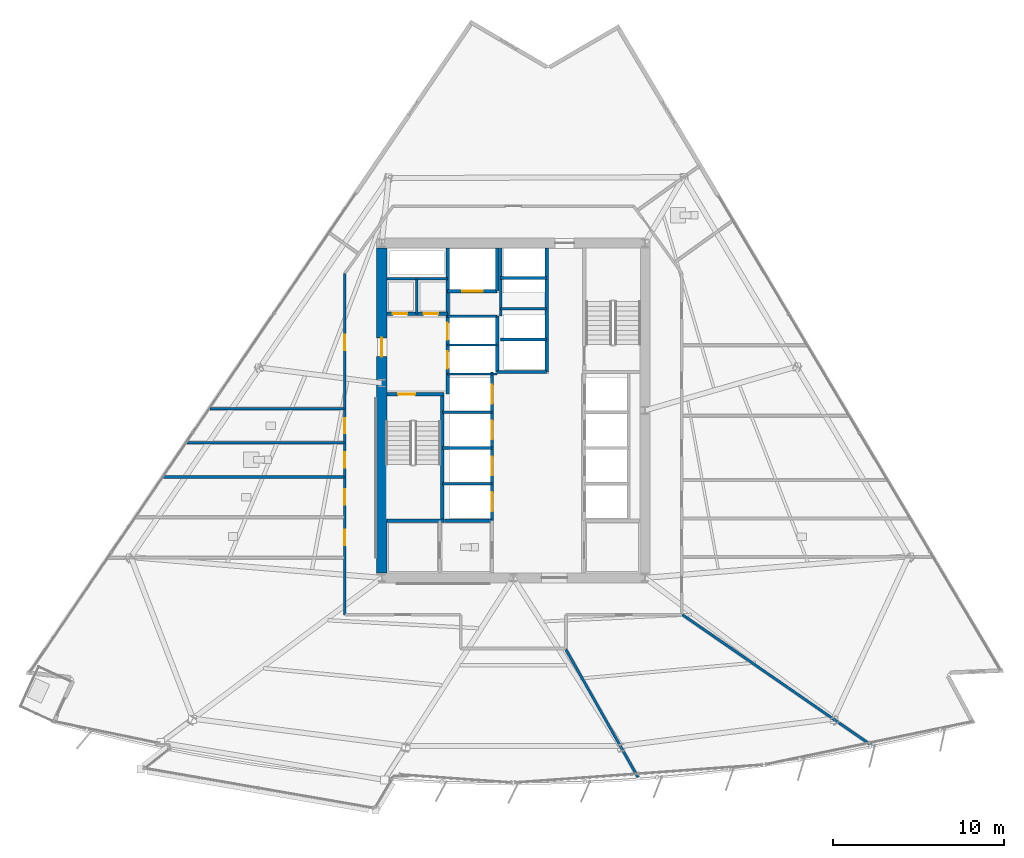
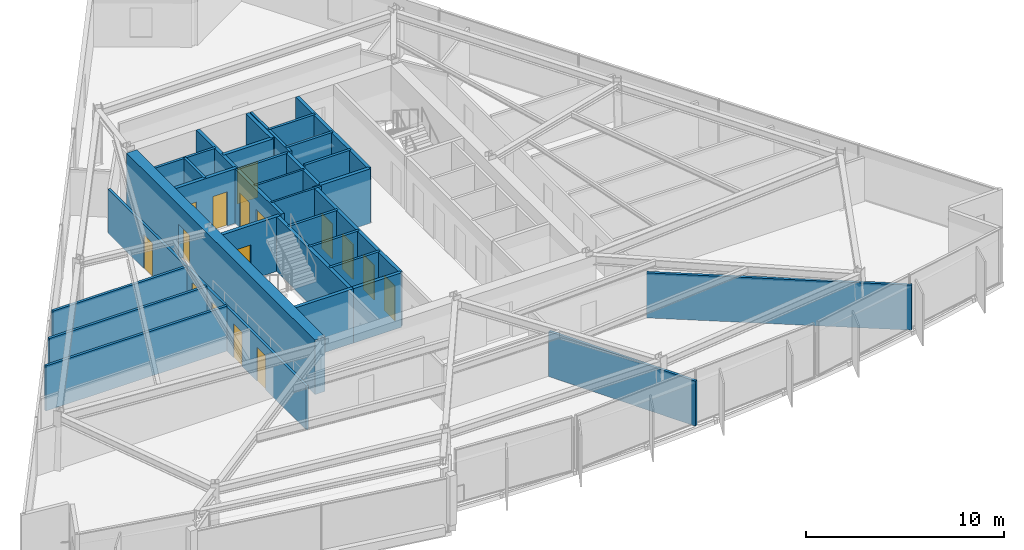
# One storey, part 8 of 15: 31 walls, 16 doors, 16 openings.
"""IFC4 building model written with IfcOpenShell, lengths in metres."""

from ifc_helpers import new_model, si_unit, direction, frame, frame_2d, origin, place, context, subcontext, project, spatial, rectangle, extrude, material, layer, layer_set, type_object, element, fill, save


model = new_model("IFC4")

# Units and contexts
model_context = context("Model", 3, precision=1e-05, world=origin(), true_north=direction((0.0, 1.0)))
body_context = subcontext(model_context, "Body", "Model", "MODEL_VIEW")
ifc_project = project(units=[si_unit("LENGTHUNIT", "METRE"), si_unit("AREAUNIT", "SQUARE_METRE"), si_unit("VOLUMEUNIT", "CUBIC_METRE"), si_unit("PLANEANGLEUNIT", "RADIAN"), si_unit("MASSUNIT", "GRAM", prefix="KILO")], contexts=[model_context])

# Site, building, storey
site_placement = place(None, origin())
site = spatial("IfcSite", under=ifc_project, at=site_placement, CompositionType="ELEMENT")
building_placement = place(site_placement, origin())
building = spatial("IfcBuilding", under=site, at=building_placement, Name="Savorim Split Tower", CompositionType="ELEMENT")
storey_placement = place(building_placement, frame((0.0, 0.0, 104.10009765625)))
storey = spatial("IfcBuildingStorey", under=building, at=storey_placement, Name="L27", CompositionType="ELEMENT", Elevation=104.10009765625)

# Wall, opening, door
ifc_material_1 = material(Name="Concrete C60/75", Category="concrete")
ifc_layer_1 = layer(ifc_material_1, 0.60009765625)
ifc_layer_set_1 = layer_set([ifc_layer_1], Name="WAL-COR-SH600")
wall_type_1 = type_object("IfcWallType", Name="WAL-COR-SH600", PredefinedType="SHEAR", material=ifc_layer_set_1)
wall_1_placement = place(storey_placement, frame((-7.699951171875, -9.10009765625, 0.0), z_axis=(0.0, 0.0, 1.0), x_axis=(0.0, 1.0, 0.0)))
wall_1 = element("IfcWall", 1, at=wall_1_placement, inside=storey, type_object=wall_type_1, Name="L27 Offset Core West Shear Wall", PredefinedType="SHEAR", context=body_context, shape_type="SweptSolid", body=[
    extrude(rectangle(XDim=19.0, YDim=0.60009765625, at=frame_2d((9.5, 0.0))), origin(), (0.0, 0.0, 1.0), 3.349853515625),
])
opening_1_placement = place(wall_1_placement, frame((12.64990234375, 0.0, 0.0)))
opening_1 = element("IfcOpeningElement", 2, at=opening_1_placement, cuts=wall_1, Name="Opening DI-03", PredefinedType="OPENING", context=body_context, shape_type="SweptSolid", body=[
    extrude(rectangle(XDim=1.10009765625, YDim=2.14990234375, at=frame_2d((0.550048828125, 1.074951171875))), frame((0.0, 0.31005859375, 0.0), z_axis=(0.0, -1.0, 0.0), x_axis=(1.0, 0.0, 0.0)), (0.0, 0.0, 1.0), 0.6201171875),
])
ifc_material_2 = material(Name="Timber Fire Door Leaf", Category="wood")
door_type_1 = type_object("IfcDoorType", Name="DOR-FIR-1100", OperationType="NOTDEFINED", PredefinedType="DOOR", material=ifc_material_2)
door_1_placement = place(opening_1_placement, origin())
door_1 = element("IfcDoor", 3, at=door_1_placement, inside=storey, type_object=door_type_1, Name="DOR-L27-COR-FFLOB - L27 Firefighting Lobby Corridor Door", OperationType="SINGLE_SWING_LEFT", OverallHeight=2.14990234375, OverallWidth=1.10009765625, PredefinedType="DOOR", context=body_context, shape_type="SweptSolid", body=[
    extrude(rectangle(XDim=1.10009765625, YDim=2.14990234375, at=frame_2d((0.550048828125, 1.074951171875))), frame((0.0, 0.02490234375, 0.0), z_axis=(0.0, -1.0, 0.0), x_axis=(1.0, 0.0, 0.0)), (0.0, 0.0, 1.0), 0.050048828125),
])
fill(opening_1, door_1)

ifc_material_3 = material(Name="Concrete C50/60", Category="concrete")
ifc_layer_2 = layer(ifc_material_3, 0.199951171875)
ifc_layer_set_2 = layer_set([ifc_layer_2], Name="WAL-INT-RC200")
wall_type_2 = type_object("IfcWallType", Name="WAL-INT-RC200", PredefinedType="SOLIDWALL", material=ifc_layer_set_2)
wall_2_placement = place(storey_placement, frame((-7.39990234375, 1.35009765625, 0.0), z_axis=(0.0, 0.0, 1.0), x_axis=(1.0, 0.0, 0.0)))
wall_2 = element("IfcWall", 4, at=wall_2_placement, inside=storey, type_object=wall_type_2, Name="L27 Structural Shaft Wall W-L27-CR01", PredefinedType="SOLIDWALL", context=body_context, shape_type="SweptSolid", body=[
    extrude(rectangle(XDim=3.349853515625, YDim=0.199951171875, at=frame_2d((1.6748046875, 0.0))), origin(), (0.0, 0.0, 1.0), 3.349853515625),
])
opening_2_placement = place(wall_2_placement, frame((0.64990234375, 0.0, 0.0)))
opening_2 = element("IfcOpeningElement", 5, at=opening_2_placement, cuts=wall_2, Name="Opening DI-04", PredefinedType="OPENING", context=body_context, shape_type="SweptSolid", body=[
    extrude(rectangle(XDim=1.0, YDim=2.14990234375, at=frame_2d((0.5, 1.074951171875))), frame((0.0, 0.10986328125, 0.0), z_axis=(0.0, -1.0, 0.0), x_axis=(1.0, 0.0, 0.0)), (0.0, 0.0, 1.0), 0.219970703125),
])
door_type_2 = type_object("IfcDoorType", Name="DOR-FIR-1000", OperationType="NOTDEFINED", PredefinedType="DOOR", material=ifc_material_2)
door_2_placement = place(opening_2_placement, origin())
door_2 = element("IfcDoor", 6, at=door_2_placement, inside=storey, type_object=door_type_2, Name="DR-L27-ST1 - L27 Stair ST-1 Enclosure Door", OperationType="SINGLE_SWING_LEFT", OverallHeight=2.14990234375, OverallWidth=1.0, PredefinedType="DOOR", context=body_context, shape_type="SweptSolid", body=[
    extrude(rectangle(XDim=1.0, YDim=2.14990234375, at=frame_2d((0.5, 1.074951171875))), frame((0.0, 0.02490234375, 0.0), z_axis=(0.0, -1.0, 0.0), x_axis=(1.0, 0.0, 0.0)), (0.0, 0.0, 1.0), 0.050048828125),
])
fill(opening_2, door_2)

# Wall
wall_3_placement = place(storey_placement, frame((-4.14990234375, -5.949951171875, 0.0), z_axis=(0.0, 0.0, 1.0), x_axis=(0.0, 1.0, 0.0)))
element("IfcWall", 7, at=wall_3_placement, inside=storey, type_object=wall_type_2, Name="L27 Structural Shaft Wall W-L27-CR02", PredefinedType="SOLIDWALL", context=body_context, shape_type="SweptSolid", body=[
    extrude(rectangle(XDim=7.199951171875, YDim=0.199951171875, at=frame_2d((3.60009765625, 0.0))), origin(), (0.0, 0.0, 1.0), 3.349853515625),
])

# Wall, openings, doors
wall_4_placement = place(storey_placement, frame((-3.85009765625, 1.35009765625, 0.0), z_axis=(0.0, 0.0, 1.0), x_axis=(0.0, 1.0, 0.0)))
wall_4 = element("IfcWall", 8, at=wall_4_placement, inside=storey, type_object=wall_type_2, Name="L27 Partition W-L27-CR03", PredefinedType="SOLIDWALL", context=body_context, shape_type="SweptSolid", body=[
    extrude(rectangle(XDim=8.544921875, YDim=0.199951171875, at=frame_2d((4.2724609375, 0.0))), origin(), (0.0, 0.0, 1.0), 3.349853515625),
])
opening_3_placement = place(wall_4_placement, frame((1.5, 0.0, 0.0)))
opening_3 = element("IfcOpeningElement", 9, at=opening_3_placement, cuts=wall_4, Name="Opening LD-FFL", PredefinedType="OPENING", context=body_context, shape_type="SweptSolid", body=[
    extrude(rectangle(XDim=1.0, YDim=2.14990234375, at=frame_2d((0.5, 1.074951171875))), frame((0.0, 0.10986328125, 0.0), z_axis=(0.0, -1.0, 0.0), x_axis=(1.0, 0.0, 0.0)), (0.0, 0.0, 1.0), 0.219970703125),
])
opening_4_placement = place(wall_4_placement, frame((3.179931640625, 0.0, 0.0)))
opening_4 = element("IfcOpeningElement", 10, at=opening_4_placement, cuts=wall_4, Name="Opening LD-FFL", PredefinedType="OPENING", context=body_context, shape_type="SweptSolid", body=[
    extrude(rectangle(XDim=1.0, YDim=2.14990234375, at=frame_2d((0.5, 1.074951171875))), frame((0.0, 0.10986328125, 0.0), z_axis=(0.0, -1.0, 0.0), x_axis=(1.0, 0.0, 0.0)), (0.0, 0.0, 1.0), 0.219970703125),
])
ifc_material_4 = material(Name="Charcoal Anodised Aluminium", Category="aluminium")
door_type_3 = type_object("IfcDoorType", Name="DOR-SLD-LD1000", OperationType="NOTDEFINED", PredefinedType="DOOR", material=ifc_material_4)
door_3_placement = place(opening_3_placement, origin())
door_3 = element("IfcDoor", 11, at=door_3_placement, inside=storey, type_object=door_type_3, Name="DR-L27-LD-FFL1 - L27 Firefighting Lift FFL-1 Sliding Landing Door", OperationType="DOUBLE_DOOR_SLIDING", OverallHeight=2.14990234375, OverallWidth=1.0, PredefinedType="DOOR", context=body_context, shape_type="SweptSolid", body=[
    extrude(rectangle(XDim=1.0, YDim=2.14990234375, at=frame_2d((0.5, 1.074951171875))), frame((0.0, 0.02490234375, 0.0), z_axis=(0.0, -1.0, 0.0), x_axis=(1.0, 0.0, 0.0)), (0.0, 0.0, 1.0), 0.050048828125),
])
fill(opening_3, door_3)
door_4_placement = place(opening_4_placement, origin())
door_4 = element("IfcDoor", 12, at=door_4_placement, inside=storey, type_object=door_type_3, Name="DR-L27-LD-FFL2 - L27 Firefighting Lift FFL-2 Sliding Landing Door", OperationType="DOUBLE_DOOR_SLIDING", OverallHeight=2.14990234375, OverallWidth=1.0, PredefinedType="DOOR", context=body_context, shape_type="SweptSolid", body=[
    extrude(rectangle(XDim=1.0, YDim=2.14990234375, at=frame_2d((0.5, 1.074951171875))), frame((0.0, 0.02490234375, 0.0), z_axis=(0.0, -1.0, 0.0), x_axis=(1.0, 0.0, 0.0)), (0.0, 0.0, 1.0), 0.050048828125),
])
fill(opening_4, door_4)

wall_5_placement = place(storey_placement, frame((-7.39501953125, 6.050048828125, 0.0), z_axis=(0.0, 0.0, 1.0), x_axis=(1.0, 0.0, 0.0)))
wall_5 = element("IfcWall", 13, at=wall_5_placement, inside=storey, type_object=wall_type_2, Name="L27 Partition W-L27-CR04", PredefinedType="SOLIDWALL", context=body_context, shape_type="SweptSolid", body=[
    extrude(rectangle(XDim=3.544921875, YDim=0.199951171875, at=frame_2d((1.7724609375, 0.0))), origin(), (0.0, 0.0, 1.0), 3.349853515625),
])
opening_5_placement = place(wall_5_placement, frame((0.344970703125, 0.0, 0.0)))
opening_5 = element("IfcOpeningElement", 14, at=opening_5_placement, cuts=wall_5, Name="Opening DI-12", PredefinedType="OPENING", context=body_context, shape_type="SweptSolid", body=[
    extrude(rectangle(XDim=0.85009765625, YDim=2.10009765625, at=frame_2d((0.425048828125, 1.050048828125))), frame((0.0, 0.10986328125, 0.0), z_axis=(0.0, -1.0, 0.0), x_axis=(1.0, 0.0, 0.0)), (0.0, 0.0, 1.0), 0.219970703125),
])
opening_6_placement = place(wall_5_placement, frame((2.14501953125, 0.0, 0.0)))
opening_6 = element("IfcOpeningElement", 15, at=opening_6_placement, cuts=wall_5, Name="Opening DI-12", PredefinedType="OPENING", context=body_context, shape_type="SweptSolid", body=[
    extrude(rectangle(XDim=0.85009765625, YDim=2.10009765625, at=frame_2d((0.425048828125, 1.050048828125))), frame((0.0, 0.10986328125, 0.0), z_axis=(0.0, -1.0, 0.0), x_axis=(1.0, 0.0, 0.0)), (0.0, 0.0, 1.0), 0.219970703125),
])
ifc_material_5 = material(Name="Galvanised Painted Steel Balustrade", Category="steel")
door_type_4 = type_object("IfcDoorType", Name="DOR-RIS-850", OperationType="NOTDEFINED", PredefinedType="DOOR", material=ifc_material_5)
door_5_placement = place(opening_5_placement, origin())
door_5 = element("IfcDoor", 16, at=door_5_placement, inside=storey, type_object=door_type_4, Name="DR-L27-ELR - L27 Electrical Riser Access Door", OperationType="SINGLE_SWING_RIGHT", OverallHeight=2.10009765625, OverallWidth=0.85009765625, PredefinedType="DOOR", context=body_context, shape_type="SweptSolid", body=[
    extrude(rectangle(XDim=0.85009765625, YDim=2.10009765625, at=frame_2d((0.425048828125, 1.050048828125))), frame((0.0, 0.02490234375, 0.0), z_axis=(0.0, -1.0, 0.0), x_axis=(1.0, 0.0, 0.0)), (0.0, 0.0, 1.0), 0.050048828125),
])
fill(opening_5, door_5)
door_6_placement = place(opening_6_placement, origin())
door_6 = element("IfcDoor", 17, at=door_6_placement, inside=storey, type_object=door_type_4, Name="DR-L27-TLR - L27 Telecom Riser Access Door", OperationType="SINGLE_SWING_LEFT", OverallHeight=2.10009765625, OverallWidth=0.85009765625, PredefinedType="DOOR", context=body_context, shape_type="SweptSolid", body=[
    extrude(rectangle(XDim=0.85009765625, YDim=2.10009765625, at=frame_2d((0.425048828125, 1.050048828125))), frame((0.0, 0.02490234375, 0.0), z_axis=(0.0, -1.0, 0.0), x_axis=(1.0, 0.0, 0.0)), (0.0, 0.0, 1.0), 0.050048828125),
])
fill(opening_6, door_6)

# Wall
wall_6_placement = place(storey_placement, frame((-0.949951171875, 2.64990234375, 0.0), z_axis=(0.0, 0.0, 1.0), x_axis=(0.0, 1.0, 0.0)))
element("IfcWall", 18, at=wall_6_placement, inside=storey, type_object=wall_type_2, Name="L27 Partition W-L27-FFLW", PredefinedType="SOLIDWALL", context=body_context, shape_type="SweptSolid", body=[
    extrude(rectangle(XDim=3.27001953125, YDim=0.199951171875, at=frame_2d((1.635009765625, 0.0))), origin(), (0.0, 0.0, 1.0), 3.349853515625),
])

# Wall, opening, door
wall_7_placement = place(storey_placement, frame((-3.85009765625, 7.3798828125, 0.0), z_axis=(0.0, 0.0, 1.0), x_axis=(1.0, 0.0, 0.0)))
wall_7 = element("IfcWall", 19, at=wall_7_placement, inside=storey, type_object=wall_type_2, Name="L27 Partition W-L27-SVLS", PredefinedType="SOLIDWALL", context=body_context, shape_type="SweptSolid", body=[
    extrude(rectangle(XDim=2.900146484375, YDim=0.199951171875, at=frame_2d((1.4501953125, 0.0))), origin(), (0.0, 0.0, 1.0), 3.349853515625),
])
opening_7_placement = place(wall_7_placement, frame((0.85009765625, 0.0, 0.0)))
opening_7 = element("IfcOpeningElement", 20, at=opening_7_placement, cuts=wall_7, Name="Opening LD-SV", PredefinedType="OPENING", context=body_context, shape_type="SweptSolid", body=[
    extrude(rectangle(XDim=1.199951171875, YDim=2.199951171875, at=frame_2d((0.60009765625, 1.10009765625))), frame((0.0, 0.10986328125, 0.0), z_axis=(0.0, -1.0, 0.0), x_axis=(1.0, 0.0, 0.0)), (0.0, 0.0, 1.0), 0.219970703125),
])
door_type_5 = type_object("IfcDoorType", Name="DOR-SLD-SV1200", OperationType="NOTDEFINED", PredefinedType="DOOR", material=ifc_material_4)
door_7_placement = place(opening_7_placement, origin())
door_7 = element("IfcDoor", 21, at=door_7_placement, inside=storey, type_object=door_type_5, Name="DR-L27-LD-SVL1 - L27 Service Lift SVL-1 Sliding Landing Door", OperationType="DOUBLE_DOOR_SLIDING", OverallHeight=2.199951171875, OverallWidth=1.199951171875, PredefinedType="DOOR", context=body_context, shape_type="SweptSolid", body=[
    extrude(rectangle(XDim=1.199951171875, YDim=2.199951171875, at=frame_2d((0.60009765625, 1.10009765625))), frame((0.0, 0.02490234375, 0.0), z_axis=(0.0, -1.0, 0.0), x_axis=(1.0, 0.0, 0.0)), (0.0, 0.0, 1.0), 0.050048828125),
])
fill(opening_7, door_7)

# Wall
wall_8_placement = place(storey_placement, frame((-0.949951171875, 7.3798828125, 0.0), z_axis=(0.0, 0.0, 1.0), x_axis=(0.0, 1.0, 0.0)))
element("IfcWall", 22, at=wall_8_placement, inside=storey, type_object=wall_type_2, Name="L27 Partition W-L27-SVLE", PredefinedType="SOLIDWALL", context=body_context, shape_type="SweptSolid", body=[
    extrude(rectangle(XDim=2.51513671875, YDim=0.199951171875, at=frame_2d((1.257568359375, 0.0))), origin(), (0.0, 0.0, 1.0), 3.349853515625),
])

# Wall, openings, doors
wall_9_placement = place(storey_placement, frame((-1.25, -6.050048828125, 0.0), z_axis=(0.0, 0.0, 1.0), x_axis=(0.0, 1.0, 0.0)))
wall_9 = element("IfcWall", 23, at=wall_9_placement, inside=storey, type_object=wall_type_2, Name="L27 Partition W-L27-B2FRONT", PredefinedType="SOLIDWALL", context=body_context, shape_type="SweptSolid", body=[
    extrude(rectangle(XDim=8.699951171875, YDim=0.199951171875, at=frame_2d((4.35009765625, 0.0))), origin(), (0.0, 0.0, 1.0), 3.349853515625),
])
opening_8_placement = place(wall_9_placement, frame((0.550048828125, 0.0, 0.0)))
opening_8 = element("IfcOpeningElement", 24, at=opening_8_placement, cuts=wall_9, Name="Opening LD-02", PredefinedType="OPENING", context=body_context, shape_type="SweptSolid", body=[
    extrude(rectangle(XDim=1.10009765625, YDim=2.14990234375, at=frame_2d((0.550048828125, 1.074951171875))), frame((0.0, 0.10986328125, 0.0), z_axis=(0.0, -1.0, 0.0), x_axis=(1.0, 0.0, 0.0)), (0.0, 0.0, 1.0), 0.219970703125),
])
opening_9_placement = place(wall_9_placement, frame((2.64990234375, 0.0, 0.0)))
opening_9 = element("IfcOpeningElement", 25, at=opening_9_placement, cuts=wall_9, Name="Opening LD-02", PredefinedType="OPENING", context=body_context, shape_type="SweptSolid", body=[
    extrude(rectangle(XDim=1.10009765625, YDim=2.14990234375, at=frame_2d((0.550048828125, 1.074951171875))), frame((0.0, 0.10986328125, 0.0), z_axis=(0.0, -1.0, 0.0), x_axis=(1.0, 0.0, 0.0)), (0.0, 0.0, 1.0), 0.219970703125),
])
opening_10_placement = place(wall_9_placement, frame((4.75, 0.0, 0.0)))
opening_10 = element("IfcOpeningElement", 26, at=opening_10_placement, cuts=wall_9, Name="Opening LD-02", PredefinedType="OPENING", context=body_context, shape_type="SweptSolid", body=[
    extrude(rectangle(XDim=1.10009765625, YDim=2.14990234375, at=frame_2d((0.550048828125, 1.074951171875))), frame((0.0, 0.10986328125, 0.0), z_axis=(0.0, -1.0, 0.0), x_axis=(1.0, 0.0, 0.0)), (0.0, 0.0, 1.0), 0.219970703125),
])
opening_11_placement = place(wall_9_placement, frame((6.85009765625, 0.0, 0.0)))
opening_11 = element("IfcOpeningElement", 27, at=opening_11_placement, cuts=wall_9, Name="Opening LD-02", PredefinedType="OPENING", context=body_context, shape_type="SweptSolid", body=[
    extrude(rectangle(XDim=1.10009765625, YDim=2.14990234375, at=frame_2d((0.550048828125, 1.074951171875))), frame((0.0, 0.10986328125, 0.0), z_axis=(0.0, -1.0, 0.0), x_axis=(1.0, 0.0, 0.0)), (0.0, 0.0, 1.0), 0.219970703125),
])
door_type_6 = type_object("IfcDoorType", Name="DOR-SLD-LDM1100", OperationType="NOTDEFINED", PredefinedType="DOOR", material=ifc_material_4)
door_8_placement = place(opening_8_placement, origin())
door_8 = element("IfcDoor", 28, at=door_8_placement, inside=storey, type_object=door_type_6, Name="DR-L27-LD-PLM1 - L27 Lift PL-M1 Sliding Landing Door", OperationType="DOUBLE_DOOR_SLIDING", OverallHeight=2.14990234375, OverallWidth=1.10009765625, PredefinedType="DOOR", context=body_context, shape_type="SweptSolid", body=[
    extrude(rectangle(XDim=1.10009765625, YDim=2.14990234375, at=frame_2d((0.550048828125, 1.074951171875))), frame((0.0, 0.02490234375, 0.0), z_axis=(0.0, -1.0, 0.0), x_axis=(1.0, 0.0, 0.0)), (0.0, 0.0, 1.0), 0.050048828125),
])
fill(opening_8, door_8)
door_9_placement = place(opening_9_placement, origin())
door_9 = element("IfcDoor", 29, at=door_9_placement, inside=storey, type_object=door_type_6, Name="DR-L27-LD-PLM2 - L27 Lift PL-M2 Sliding Landing Door", OperationType="DOUBLE_DOOR_SLIDING", OverallHeight=2.14990234375, OverallWidth=1.10009765625, PredefinedType="DOOR", context=body_context, shape_type="SweptSolid", body=[
    extrude(rectangle(XDim=1.10009765625, YDim=2.14990234375, at=frame_2d((0.550048828125, 1.074951171875))), frame((0.0, 0.02490234375, 0.0), z_axis=(0.0, -1.0, 0.0), x_axis=(1.0, 0.0, 0.0)), (0.0, 0.0, 1.0), 0.050048828125),
])
fill(opening_9, door_9)
door_10_placement = place(opening_10_placement, origin())
door_10 = element("IfcDoor", 30, at=door_10_placement, inside=storey, type_object=door_type_6, Name="DR-L27-LD-PLM3 - L27 Lift PL-M3 Sliding Landing Door", OperationType="DOUBLE_DOOR_SLIDING", OverallHeight=2.14990234375, OverallWidth=1.10009765625, PredefinedType="DOOR", context=body_context, shape_type="SweptSolid", body=[
    extrude(rectangle(XDim=1.10009765625, YDim=2.14990234375, at=frame_2d((0.550048828125, 1.074951171875))), frame((0.0, 0.02490234375, 0.0), z_axis=(0.0, -1.0, 0.0), x_axis=(1.0, 0.0, 0.0)), (0.0, 0.0, 1.0), 0.050048828125),
])
fill(opening_10, door_10)
door_11_placement = place(opening_11_placement, origin())
door_11 = element("IfcDoor", 31, at=door_11_placement, inside=storey, type_object=door_type_6, Name="DR-L27-LD-PLM4 - L27 Lift PL-M4 Sliding Landing Door", OperationType="DOUBLE_DOOR_SLIDING", OverallHeight=2.14990234375, OverallWidth=1.10009765625, PredefinedType="DOOR", context=body_context, shape_type="SweptSolid", body=[
    extrude(rectangle(XDim=1.10009765625, YDim=2.14990234375, at=frame_2d((0.550048828125, 1.074951171875))), frame((0.0, 0.02490234375, 0.0), z_axis=(0.0, -1.0, 0.0), x_axis=(1.0, 0.0, 0.0)), (0.0, 0.0, 1.0), 0.050048828125),
])
fill(opening_11, door_11)

# Walls
wall_10_placement = place(storey_placement, frame((1.949951171875, 2.64990234375, 0.0), z_axis=(0.0, 0.0, 1.0), x_axis=(0.0, 1.0, 0.0)))
element("IfcWall", 32, at=wall_10_placement, inside=storey, type_object=wall_type_2, Name="L27 Partition W-L27-B3FRONT", PredefinedType="SOLIDWALL", context=body_context, shape_type="SweptSolid", body=[
    extrude(rectangle(XDim=7.2451171875, YDim=0.199951171875, at=frame_2d((3.62255859375, 0.0))), origin(), (0.0, 0.0, 1.0), 3.349853515625),
])
wall_11_placement = place(storey_placement, frame((-0.949951171875, 2.64990234375, 0.0), z_axis=(0.0, 0.0, 1.0), x_axis=(1.0, 0.0, 0.0)))
element("IfcWall", 33, at=wall_11_placement, inside=storey, type_object=wall_type_2, Name="L27 Partition W-L27-B3SOUTH", PredefinedType="SOLIDWALL", context=body_context, shape_type="SweptSolid", body=[
    extrude(rectangle(XDim=2.89990234375, YDim=0.199951171875, at=frame_2d((1.449951171875, 0.0))), origin(), (0.0, 0.0, 1.0), 3.349853515625),
])
wall_12_placement = place(storey_placement, frame((-7.39990234375, -6.050048828125, 0.0), z_axis=(0.0, 0.0, 1.0), x_axis=(1.0, 0.0, 0.0)))
element("IfcWall", 34, at=wall_12_placement, inside=storey, type_object=wall_type_2, Name="L27 Structural Shaft Wall W-L27-KSEP-W", PredefinedType="SOLIDWALL", context=body_context, shape_type="SweptSolid", body=[
    extrude(rectangle(XDim=3.349853515625, YDim=0.199951171875, at=frame_2d((1.6748046875, 0.0))), origin(), (0.0, 0.0, 1.0), 3.349853515625),
])
wall_13_placement = place(storey_placement, frame((-4.0400390625, -6.050048828125, 0.0), z_axis=(0.0, 0.0, 1.0), x_axis=(1.0, 0.0, 0.0)))
element("IfcWall", 35, at=wall_13_placement, inside=storey, type_object=wall_type_2, Name="L27 Partition W-L27-KSEP-W2", PredefinedType="SOLIDWALL", context=body_context, shape_type="SweptSolid", body=[
    extrude(rectangle(XDim=2.7900390625, YDim=0.199951171875, at=frame_2d((1.39501953125, 0.0))), origin(), (0.0, 0.0, 1.0), 3.349853515625),
])
ifc_material_6 = material(Name="Acoustic Gypsum Partition Board")
ifc_layer_3 = layer(ifc_material_6, 0.1201171875)
ifc_layer_set_3 = layer_set([ifc_layer_3], Name="WAL-PAR-120")
wall_type_3 = type_object("IfcWallType", Name="WAL-PAR-120", PredefinedType="PARTITIONING", material=ifc_layer_set_3)
for number, where, z_axis, x_axis, name in (
    (36, (-3.85009765625, 2.52001953125, 0.0), (0.0, 0.0, 1.0), (1.0, 0.0, 0.0), "L27 Partition W-L27-FFLD0"),
    (37, (-3.85009765625, 4.219970703125, 0.0), (0.0, 0.0, 1.0), (1.0, 0.0, 0.0), "L27 Partition W-L27-FFLD1"),
):
    element("IfcWall", number, at=place(storey_placement, frame(where, z_axis=z_axis, x_axis=x_axis)), inside=storey, type_object=wall_type_3, Name=name, PredefinedType="PARTITIONING", context=body_context, shape_type="SweptSolid", body=[
        extrude(rectangle(XDim=2.900146484375, YDim=0.1201171875, at=frame_2d((1.4501953125, 0.0))), origin(), (0.0, 0.0, 1.0), 3.349853515625),
    ])
ifc_layer_4 = layer(ifc_material_6, 0.14990234375)
ifc_layer_set_4 = layer_set([ifc_layer_4], Name="WAL-PAR-150")
wall_type_4 = type_object("IfcWallType", Name="WAL-PAR-150", PredefinedType="PARTITIONING", material=ifc_layer_set_4)
wall_14_placement = place(storey_placement, frame((-7.39501953125, 8.10009765625, 0.0), z_axis=(0.0, 0.0, 1.0), x_axis=(1.0, 0.0, 0.0)))
element("IfcWall", 38, at=wall_14_placement, inside=storey, type_object=wall_type_4, Name="L27 Partition W-L27-CR05", PredefinedType="PARTITIONING", context=body_context, shape_type="SweptSolid", body=[
    extrude(rectangle(XDim=3.544921875, YDim=0.14990234375, at=frame_2d((1.7724609375, 0.0))), origin(), (0.0, 0.0, 1.0), 3.349853515625),
])
wall_15_placement = place(storey_placement, frame((-5.64990234375, 6.050048828125, 0.0), z_axis=(0.0, 0.0, 1.0), x_axis=(0.0, 1.0, 0.0)))
element("IfcWall", 39, at=wall_15_placement, inside=storey, type_object=wall_type_4, Name="L27 Partition W-L27-CR06", PredefinedType="PARTITIONING", context=body_context, shape_type="SweptSolid", body=[
    extrude(rectangle(XDim=2.050048828125, YDim=0.14990234375, at=frame_2d((1.02490234375, 0.0))), origin(), (0.0, 0.0, 1.0), 3.349853515625),
])
wall_16_placement = place(storey_placement, frame((-3.85009765625, 5.89990234375, 0.0), z_axis=(0.0, 0.0, 1.0), x_axis=(1.0, 0.0, 0.0)))
element("IfcWall", 40, at=wall_16_placement, inside=storey, type_object=wall_type_4, Name="L27 Partition W-L27-FFLD2", PredefinedType="PARTITIONING", context=body_context, shape_type="SweptSolid", body=[
    extrude(rectangle(XDim=2.900146484375, YDim=0.14990234375, at=frame_2d((1.4501953125, 0.0))), origin(), (0.0, 0.0, 1.0), 3.349853515625),
])
for number, where, z_axis, x_axis, name in (
    (41, (-4.14990234375, -3.89990234375, 0.0), (0.0, 0.0, 1.0), (1.0, 0.0, 0.0), "L27 Partition W-L27-B2DIV1"),
    (42, (-4.14990234375, -1.800048828125, 0.0), (0.0, 0.0, 1.0), (1.0, 0.0, 0.0), "L27 Partition W-L27-B2DIV2"),
    (43, (-4.14990234375, 0.300048828125, 0.0), (0.0, 0.0, 1.0), (1.0, 0.0, 0.0), "L27 Partition W-L27-B2DIV3"),
):
    element("IfcWall", number, at=place(storey_placement, frame(where, z_axis=z_axis, x_axis=x_axis)), inside=storey, type_object=wall_type_4, Name=name, PredefinedType="PARTITIONING", context=body_context, shape_type="SweptSolid", body=[
        extrude(rectangle(XDim=2.89990234375, YDim=0.14990234375, at=frame_2d((1.449951171875, 0.0))), origin(), (0.0, 0.0, 1.0), 3.349853515625),
    ])
wall_17_placement = place(storey_placement, frame((-0.75, 5.919921875, 0.0), z_axis=(0.0, 0.0, 1.0), x_axis=(0.0, 1.0, 0.0)))
element("IfcWall", 44, at=wall_17_placement, inside=storey, type_object=wall_type_4, Name="L27 Partition W-L27-B3WEST", PredefinedType="PARTITIONING", context=body_context, shape_type="SweptSolid", body=[
    extrude(rectangle(XDim=3.97509765625, YDim=0.14990234375, at=frame_2d((1.987548828125, 0.0))), origin(), (0.0, 0.0, 1.0), 3.349853515625),
])
for number, where, z_axis, x_axis, name in (
    (45, (-0.75, 4.550048828125, 0.0), (0.0, 0.0, 1.0), (1.0, 0.0, 0.0), "L27 Partition W-L27-B3DIV1"),
    (46, (-0.75, 6.35009765625, 0.0), (0.0, 0.0, 1.0), (1.0, 0.0, 0.0), "L27 Partition W-L27-B3DIV2"),
    (47, (-0.75, 8.14990234375, 0.0), (0.0, 0.0, 1.0), (1.0, 0.0, 0.0), "L27 Partition W-L27-B3DIV3"),
):
    element("IfcWall", number, at=place(storey_placement, frame(where, z_axis=z_axis, x_axis=x_axis)), inside=storey, type_object=wall_type_4, Name=name, PredefinedType="PARTITIONING", context=body_context, shape_type="SweptSolid", body=[
        extrude(rectangle(XDim=2.699951171875, YDim=0.14990234375, at=frame_2d((1.35009765625, 0.0))), origin(), (0.0, 0.0, 1.0), 3.349853515625),
    ])

# Wall, openings, doors
wall_18_placement = place(storey_placement, frame((-9.860107421875, -11.56005859375, 0.0), z_axis=(0.0, 0.0, 1.0), x_axis=(0.0, 1.0, 0.0)))
wall_18 = element("IfcWall", 48, at=wall_18_placement, inside=storey, type_object=wall_type_4, Name="L27 Partition W-L27-COR-01", PredefinedType="PARTITIONING", context=body_context, shape_type="SweptSolid", body=[
    extrude(rectangle(XDim=19.98583984375, YDim=0.14990234375, at=frame_2d((9.992919921875, 0.0))), origin(), (0.0, 0.0, 1.0), 2.704833984375),
])
opening_12_placement = place(wall_18_placement, frame((10.613525390625, 0.0, 0.0)))
opening_12 = element("IfcOpeningElement", 49, at=opening_12_placement, cuts=wall_18, Name="Opening DI-06", PredefinedType="OPENING", context=body_context, shape_type="SweptSolid", body=[
    extrude(rectangle(XDim=0.89990234375, YDim=2.10009765625, at=frame_2d((0.449951171875, 1.050048828125))), frame((0.0, 0.0849609375, 0.0), z_axis=(0.0, -1.0, 0.0), x_axis=(1.0, 0.0, 0.0)), (0.0, 0.0, 1.0), 0.169921875),
])
opening_13_placement = place(wall_18_placement, frame((8.615234375, 0.0, 0.0)))
opening_13 = element("IfcOpeningElement", 50, at=opening_13_placement, cuts=wall_18, Name="Opening DI-11", PredefinedType="OPENING", context=body_context, shape_type="SweptSolid", body=[
    extrude(rectangle(XDim=0.89990234375, YDim=2.10009765625, at=frame_2d((0.449951171875, 1.050048828125))), frame((0.0, 0.0849609375, 0.0), z_axis=(0.0, -1.0, 0.0), x_axis=(1.0, 0.0, 0.0)), (0.0, 0.0, 1.0), 0.169921875),
])
opening_14_placement = place(wall_18_placement, frame((6.434326171875, 0.0, 0.0)))
opening_14 = element("IfcOpeningElement", 51, at=opening_14_placement, cuts=wall_18, Name="Opening DI-06", PredefinedType="OPENING", context=body_context, shape_type="SweptSolid", body=[
    extrude(rectangle(XDim=0.89990234375, YDim=2.10009765625, at=frame_2d((0.449951171875, 1.050048828125))), frame((0.0, 0.0849609375, 0.0), z_axis=(0.0, -1.0, 0.0), x_axis=(1.0, 0.0, 0.0)), (0.0, 0.0, 1.0), 0.169921875),
])
opening_15_placement = place(wall_18_placement, frame((4.070556640625, 0.0, 0.0)))
opening_15 = element("IfcOpeningElement", 52, at=opening_15_placement, cuts=wall_18, Name="Opening DI-06", PredefinedType="OPENING", context=body_context, shape_type="SweptSolid", body=[
    extrude(rectangle(XDim=0.89990234375, YDim=2.10009765625, at=frame_2d((0.449951171875, 1.050048828125))), frame((0.0, 0.0849609375, 0.0), z_axis=(0.0, -1.0, 0.0), x_axis=(1.0, 0.0, 0.0)), (0.0, 0.0, 1.0), 0.169921875),
])
opening_16_placement = place(wall_18_placement, frame((15.485107421875, 0.0, 0.0)))
opening_16 = element("IfcOpeningElement", 53, at=opening_16_placement, cuts=wall_18, Name="Opening DI-06", PredefinedType="OPENING", context=body_context, shape_type="SweptSolid", body=[
    extrude(rectangle(XDim=0.89990234375, YDim=2.10009765625, at=frame_2d((0.449951171875, 1.050048828125))), frame((0.0, 0.0849609375, 0.0), z_axis=(0.0, -1.0, 0.0), x_axis=(1.0, 0.0, 0.0)), (0.0, 0.0, 1.0), 0.169921875),
])
door_type_7 = type_object("IfcDoorType", Name="DOR-FIR-900", OperationType="NOTDEFINED", PredefinedType="DOOR", material=ifc_material_2)
door_12_placement = place(opening_12_placement, origin())
door_12 = element("IfcDoor", 54, at=door_12_placement, inside=storey, type_object=door_type_7, Name="DR-L27-RM01 - L27 Shared Kitchen Entry Door", OperationType="SINGLE_SWING_RIGHT", OverallHeight=2.10009765625, OverallWidth=0.89990234375, PredefinedType="DOOR", context=body_context, shape_type="SweptSolid", body=[
    extrude(rectangle(XDim=0.89990234375, YDim=2.10009765625, at=frame_2d((0.449951171875, 1.050048828125))), frame((0.0, 0.02490234375, 0.0), z_axis=(0.0, -1.0, 0.0), x_axis=(1.0, 0.0, 0.0)), (0.0, 0.0, 1.0), 0.050048828125),
])
fill(opening_12, door_12)
door_13_placement = place(opening_14_placement, origin())
door_13 = element("IfcDoor", 55, at=door_13_placement, inside=storey, type_object=door_type_7, Name="DR-L27-RM03 - L27 Community Laundry Room Entry Door", OperationType="SINGLE_SWING_RIGHT", OverallHeight=2.10009765625, OverallWidth=0.89990234375, PredefinedType="DOOR", context=body_context, shape_type="SweptSolid", body=[
    extrude(rectangle(XDim=0.89990234375, YDim=2.10009765625, at=frame_2d((0.449951171875, 1.050048828125))), frame((0.0, 0.02490234375, 0.0), z_axis=(0.0, -1.0, 0.0), x_axis=(1.0, 0.0, 0.0)), (0.0, 0.0, 1.0), 0.050048828125),
])
fill(opening_14, door_13)
door_14_placement = place(opening_15_placement, origin())
door_14 = element("IfcDoor", 56, at=door_14_placement, inside=storey, type_object=door_type_7, Name="DR-L27-RM04 - L27 Community Laundry Room Entry Door", OperationType="SINGLE_SWING_LEFT", OverallHeight=2.10009765625, OverallWidth=0.89990234375, PredefinedType="DOOR", context=body_context, shape_type="SweptSolid", body=[
    extrude(rectangle(XDim=0.89990234375, YDim=2.10009765625, at=frame_2d((0.449951171875, 1.050048828125))), frame((0.0, 0.02490234375, 0.0), z_axis=(0.0, -1.0, 0.0), x_axis=(1.0, 0.0, 0.0)), (0.0, 0.0, 1.0), 0.050048828125),
])
fill(opening_15, door_14)
door_15_placement = place(opening_16_placement, origin())
door_15 = element("IfcDoor", 57, at=door_15_placement, inside=storey, type_object=door_type_7, Name="DR-L27-RM15 - L27 Quiet Study Room Entry Door", OperationType="SINGLE_SWING_RIGHT", OverallHeight=2.10009765625, OverallWidth=0.89990234375, PredefinedType="DOOR", context=body_context, shape_type="SweptSolid", body=[
    extrude(rectangle(XDim=0.89990234375, YDim=2.10009765625, at=frame_2d((0.449951171875, 1.050048828125))), frame((0.0, 0.02490234375, 0.0), z_axis=(0.0, -1.0, 0.0), x_axis=(1.0, 0.0, 0.0)), (0.0, 0.0, 1.0), 0.050048828125),
])
fill(opening_16, door_15)
ifc_material_7 = material(Name="Oak Veneer Acoustic Door")
door_type_8 = type_object("IfcDoorType", Name="DOR-WC-900", OperationType="NOTDEFINED", PredefinedType="DOOR", material=ifc_material_7)
door_16_placement = place(opening_13_placement, origin())
door_16 = element("IfcDoor", 58, at=door_16_placement, inside=storey, type_object=door_type_8, Name="DR-L27-RM02 - L27 Shared Bathroom Entry Door", OperationType="SINGLE_SWING_LEFT", OverallHeight=2.10009765625, OverallWidth=0.89990234375, PredefinedType="DOOR", context=body_context, shape_type="SweptSolid", body=[
    extrude(rectangle(XDim=0.89990234375, YDim=2.10009765625, at=frame_2d((0.449951171875, 1.050048828125))), frame((0.0, 0.02490234375, 0.0), z_axis=(0.0, -1.0, 0.0), x_axis=(1.0, 0.0, 0.0)), (0.0, 0.0, 1.0), 0.050048828125),
])
fill(opening_13, door_16)

# Walls
wall_19_placement = place(storey_placement, frame((3.06591796875, -13.5732421875, 0.0), z_axis=(0.0, 0.0, 1.0), x_axis=(0.491259358146, -0.871013342627, 0.0)))
element("IfcWall", 59, at=wall_19_placement, inside=storey, type_object=wall_type_4, Name="L27 Partition W-L27-PRAD03", PredefinedType="PARTITIONING", context=body_context, shape_type="SweptSolid", body=[
    extrude(rectangle(XDim=8.6025390625, YDim=0.14990234375, at=frame_2d((4.30126953125, 0.0))), origin(), (0.0, 0.0, 1.0), 2.77490234375),
])
wall_20_placement = place(storey_placement, frame((9.896240234375, -11.5576171875, 0.0), z_axis=(0.0, 0.0, 1.0), x_axis=(0.82286040312, -0.568243571875, 0.0)))
element("IfcWall", 60, at=wall_20_placement, inside=storey, type_object=wall_type_4, Name="L27 Partition W-L27-PRAD04", PredefinedType="PARTITIONING", context=body_context, shape_type="SweptSolid", body=[
    extrude(rectangle(XDim=13.40478515625, YDim=0.14990234375, at=frame_2d((6.702392578125, 0.0))), origin(), (0.0, 0.0, 1.0), 2.77490234375),
])
wall_21_placement = place(storey_placement, frame((-9.919921875, 0.50244140625, 0.0), z_axis=(0.0, 0.0, 1.0), x_axis=(-1.0, 0.0, 0.0)))
element("IfcWall", 61, at=wall_21_placement, inside=storey, type_object=wall_type_4, Name="L27 Partition W-L27-SUB02", PredefinedType="PARTITIONING", context=body_context, shape_type="SweptSolid", body=[
    extrude(rectangle(XDim=7.8310546875, YDim=0.14990234375, at=frame_2d((3.91552734375, 0.0))), origin(), (0.0, 0.0, 1.0), 2.77490234375),
])
wall_22_placement = place(storey_placement, frame((-9.919921875, -3.493896484375, 0.0), z_axis=(0.0, 0.0, 1.0), x_axis=(-1.0, 0.0, 0.0)))
element("IfcWall", 62, at=wall_22_placement, inside=storey, type_object=wall_type_4, Name="L27 Partition W-L27-SUB03", PredefinedType="PARTITIONING", context=body_context, shape_type="SweptSolid", body=[
    extrude(rectangle(XDim=10.549560546875, YDim=0.14990234375, at=frame_2d((5.27490234375, 0.0))), origin(), (0.0, 0.0, 1.0), 2.77490234375),
])
wall_23_placement = place(storey_placement, frame((-9.919921875, -1.49560546875, 0.0), z_axis=(0.0, 0.0, 1.0), x_axis=(-1.0, 0.0, 0.0)))
element("IfcWall", 63, at=wall_23_placement, inside=storey, type_object=wall_type_4, Name="L27 Partition W-L27-SUB07", PredefinedType="PARTITIONING", context=body_context, shape_type="SweptSolid", body=[
    extrude(rectangle(XDim=9.1904296875, YDim=0.14990234375, at=frame_2d((4.59521484375, 0.0))), origin(), (0.0, 0.0, 1.0), 2.77490234375),
])

save(model, "model.ifc")
